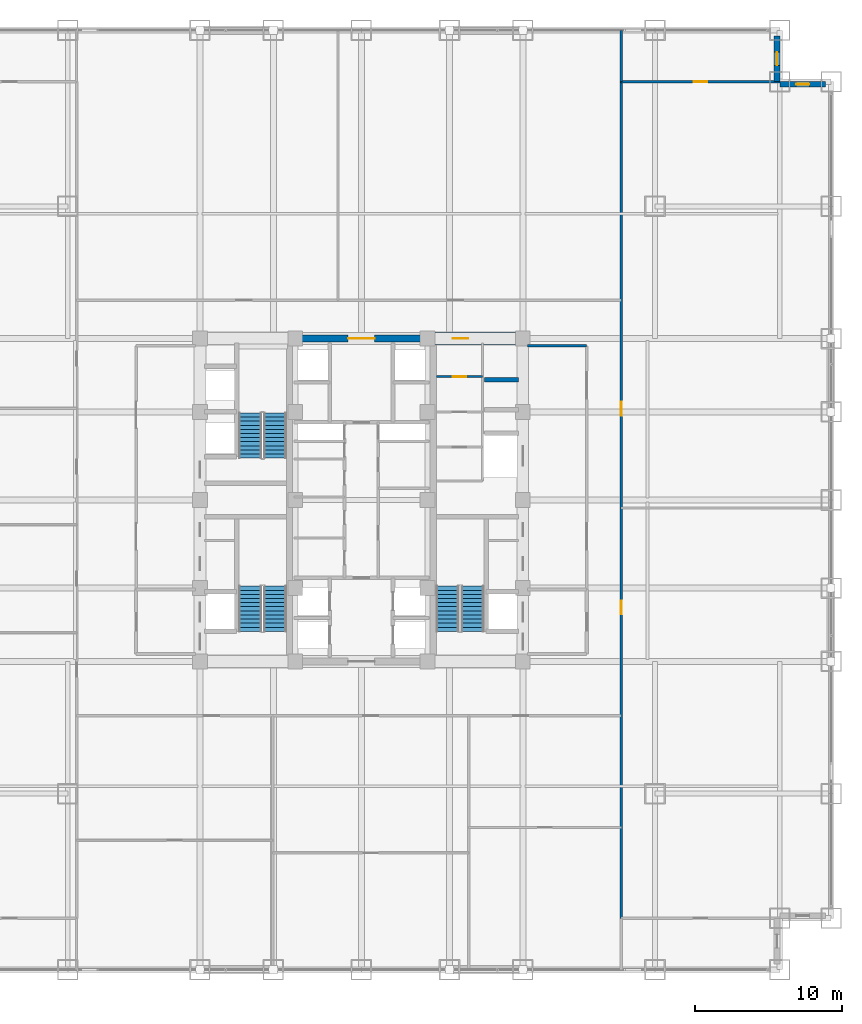
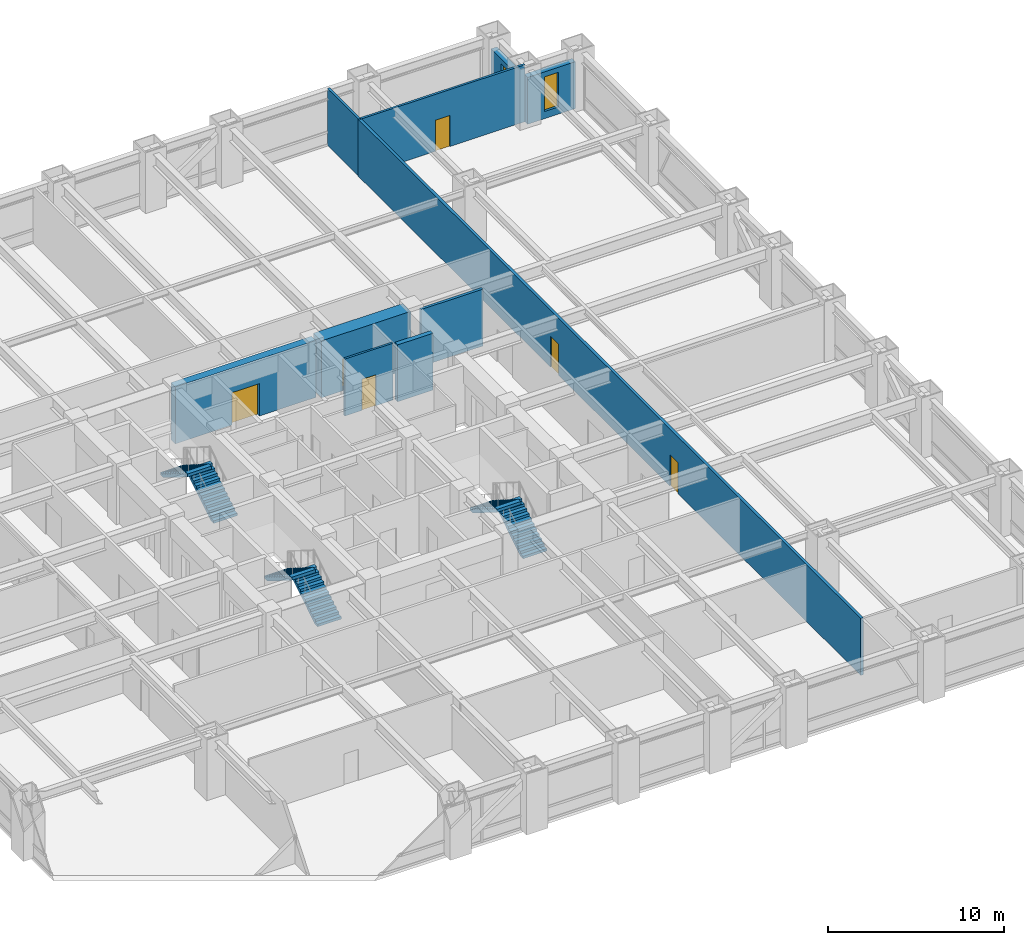
# One storey, part 27 of 28: 10 walls, 6 doors, 6 stair flights, 2 windows, 8 openings, 3 elements without a shape of their own.
"""IFC4 building model written with IfcOpenShell, lengths in metres."""

from ifc_helpers import new_model, si_unit, direction, frame, frame_2d, origin, place, context, subcontext, project, spatial, polyline, rectangle, outline, extrude, source, transform, mapped, material, layer, layer_set, type_object, element, fill, aggregate, save


model = new_model("IFC4")

# Units and contexts
model_context = context("Model", 3, precision=1e-05, world=origin(), true_north=direction((0.0, 1.0)))
body_context = subcontext(model_context, "Body", "Model", "MODEL_VIEW")
ifc_project = project(units=[si_unit("LENGTHUNIT", "METRE"), si_unit("AREAUNIT", "SQUARE_METRE"), si_unit("VOLUMEUNIT", "CUBIC_METRE"), si_unit("PLANEANGLEUNIT", "RADIAN"), si_unit("MASSUNIT", "GRAM", prefix="KILO")], contexts=[model_context])

# Site, building, storey
site_placement = place(None, origin())
site = spatial("IfcSite", under=ifc_project, at=site_placement, CompositionType="ELEMENT")
building_placement = place(site_placement, origin())
building = spatial("IfcBuilding", under=site, at=building_placement, Name="Khorayat Bourse Tower", CompositionType="ELEMENT")
storey_placement = place(building_placement, frame((0.0, 0.0, 66.199951171875)))
storey = spatial("IfcBuildingStorey", under=building, at=storey_placement, Name="L14", CompositionType="ELEMENT", Elevation=66.199951171875)

# Wall, opening, door
ifc_material_1 = material(Name="Concrete C72/90", Category="concrete")
ifc_layer_1 = layer(ifc_material_1, 0.89990234375)
ifc_layer_set_1 = layer_set([ifc_layer_1], Name="Concrete C72/90")
wall_type_1 = type_object("IfcWallType", Name="WAL-CORE-900", PredefinedType="SHEAR", material=ifc_layer_set_1)
shared_shape_1 = source(origin(), body_context, "Body", "SweptSolid", [
    extrude(rectangle(XDim=5.849853515625, YDim=0.89990234375, at=frame_2d((2.9248046875, 0.0))), origin(), (0.0, 0.0, 1.0), 3.93994140625),
])
wall_1_placement = place(storey_placement, frame((4.85009765625, 11.0, 0.0), z_axis=(0.0, 0.0, 1.0), x_axis=(1.0, 0.0, 0.0)))
wall_1 = element("IfcWall", 1, at=wall_1_placement, inside=storey, type_object=wall_type_1, Name="L14 Core Shear Wall PIER-EN", PredefinedType="SHEAR", context=body_context, shape_type="MappedRepresentation", body=[
    mapped(shared_shape_1, transform((0.0, 0.0, 0.0), scale=1.0)),
])
shared_shape_2 = source(origin(), body_context, "Body", "SweptSolid", [
    extrude(rectangle(XDim=1.050048828125, YDim=2.199951171875, at=frame_2d((0.52490234375, 1.10009765625))), frame((0.0, 0.4599609375, 0.0), z_axis=(0.0, -1.0, 0.0), x_axis=(1.0, 0.0, 0.0)), (0.0, 0.0, 1.0), 0.919921875),
])
opening_1_placement = place(wall_1_placement, frame((1.375, 0.0, 0.0)))
opening_1 = element("IfcOpeningElement", 2, at=opening_1_placement, cuts=wall_1, Name="Opening DI-04", PredefinedType="OPENING", context=body_context, shape_type="MappedRepresentation", body=[
    mapped(shared_shape_2, transform((0.0, 0.0, 0.0), scale=1.0)),
])
ifc_material_2 = material(Name="Fire-rated oak veneer suite entrance door")
door_type_1 = type_object("IfcDoorType", Name="DR-INT-SUITE-1050", OperationType="NOTDEFINED", PredefinedType="DOOR", material=ifc_material_2)
shared_shape_3 = source(origin(), body_context, "Body", "SweptSolid", [
    extrude(rectangle(XDim=1.050048828125, YDim=2.199951171875, at=frame_2d((0.52490234375, 1.10009765625))), frame((0.0, 0.02490234375, 0.0), z_axis=(0.0, -1.0, 0.0), x_axis=(1.0, 0.0, 0.0)), (0.0, 0.0, 1.0), 0.050048828125),
])
door_1_placement = place(opening_1_placement, origin())
door_1 = element("IfcDoor", 3, at=door_1_placement, inside=storey, type_object=door_type_1, Name="L14 Core Washroom Lobby Door", OperationType="SINGLE_SWING_LEFT", OverallHeight=2.199951171875, OverallWidth=1.050048828125, PredefinedType="DOOR", context=body_context, shape_type="MappedRepresentation", body=[
    mapped(shared_shape_3, transform((0.0, 0.0, 0.0), scale=1.0)),
])
fill(opening_1, door_1)

ifc_material_3 = material(Name="Concrete C52/65", Category="concrete")
ifc_layer_2 = layer(ifc_material_3, 0.5)
ifc_layer_set_2 = layer_set([ifc_layer_2], Name="Concrete C52/65")
wall_type_2 = type_object("IfcWallType", Name="WAL-CORE-500", PredefinedType="SHEAR", material=ifc_layer_set_2)
shared_shape_4 = source(origin(), body_context, "Body", "SweptSolid", [
    extrude(rectangle(XDim=9.2001953125, YDim=0.5, at=frame_2d((4.60009765625, 0.0))), origin(), (0.0, 0.0, 1.0), 3.93994140625),
])
wall_2_placement = place(storey_placement, frame((-4.60009765625, 11.0, 0.0), z_axis=(0.0, 0.0, 1.0), x_axis=(1.0, 0.0, 0.0)))
wall_2 = element("IfcWall", 4, at=wall_2_placement, inside=storey, type_object=wall_type_2, Name="L14 Core Shear Wall CORE-N", PredefinedType="SHEAR", context=body_context, shape_type="MappedRepresentation", body=[
    mapped(shared_shape_4, transform((0.0, 0.0, 0.0), scale=1.0)),
])
shared_shape_5 = source(origin(), body_context, "Body", "SweptSolid", [
    extrude(rectangle(XDim=1.800048828125, YDim=2.25, at=frame_2d((0.89990234375, 1.125))), frame((0.0, 0.260009765625, 0.0), z_axis=(0.0, -1.0, 0.0), x_axis=(1.0, 0.0, 0.0)), (0.0, 0.0, 1.0), 0.52001953125),
])
opening_2_placement = place(wall_2_placement, frame((3.699951171875, 0.0, 0.0)))
opening_2 = element("IfcOpeningElement", 5, at=opening_2_placement, cuts=wall_2, Name="Opening DI-03", PredefinedType="OPENING", context=body_context, shape_type="MappedRepresentation", body=[
    mapped(shared_shape_5, transform((0.0, 0.0, 0.0), scale=1.0)),
])
ifc_material_4 = material(Name="Fire-rated hardwood vision-panel double leaf", Category="wood")
door_type_2 = type_object("IfcDoorType", Name="DR-INT-CORR-1800", OperationType="NOTDEFINED", PredefinedType="DOOR", material=ifc_material_4)
shared_shape_6 = source(origin(), body_context, "Body", "SweptSolid", [
    extrude(rectangle(XDim=1.800048828125, YDim=2.25, at=frame_2d((0.89990234375, 1.125))), frame((0.0, 0.02490234375, 0.0), z_axis=(0.0, -1.0, 0.0), x_axis=(1.0, 0.0, 0.0)), (0.0, 0.0, 1.0), 0.050048828125),
])
door_2_placement = place(opening_2_placement, origin())
door_2 = element("IfcDoor", 6, at=door_2_placement, inside=storey, type_object=door_type_2, Name="L14 Mid-Rise Lift Lobby Door", OperationType="SINGLE_SWING_RIGHT", OverallHeight=2.25, OverallWidth=1.800048828125, PredefinedType="DOOR", context=body_context, shape_type="MappedRepresentation", body=[
    mapped(shared_shape_6, transform((0.0, 0.0, 0.0), scale=1.0)),
])
fill(opening_2, door_2)

# Wall, opening, window
ifc_material_5 = material(Name="Precast concrete C45/55", Category="concrete")
ifc_layer_3 = layer(ifc_material_5, 0.3798828125)
ifc_layer_set_3 = layer_set([ifc_layer_3], Name="Precast concrete C45/55")
wall_type_3 = type_object("IfcWallType", Name="WAL-EXT-STONE-380", PredefinedType="STANDARD", material=ifc_layer_set_3)
shared_shape_7 = source(origin(), body_context, "Body", "SweptSolid", [
    extrude(rectangle(XDim=3.1201171875, YDim=0.3798828125, at=frame_2d((1.56005859375, 0.0))), origin(), (0.0, 0.0, 1.0), 3.2451171875),
])
wall_3_placement = place(storey_placement, frame((28.5, 28.31005859375, 0.0), z_axis=(0.0, 0.0, 1.0), x_axis=(1.0, 0.0, 0.0)))
wall_3 = element("IfcWall", 7, at=wall_3_placement, inside=storey, type_object=wall_type_3, Name="L14 Re-Entrant Notch Limestone Wall NE-H", PredefinedType="STANDARD", context=body_context, shape_type="MappedRepresentation", body=[
    mapped(shared_shape_7, transform((0.0, 0.0, 0.0), scale=1.0)),
])
shared_shape_8 = source(origin(), body_context, "Body", "SweptSolid", [
    extrude(rectangle(XDim=0.89990234375, YDim=2.39990234375, at=frame_2d((0.449951171875, 1.199951171875))), frame((0.0, 0.199951171875, 0.0), z_axis=(0.0, -1.0, 0.0), x_axis=(1.0, 0.0, 0.0)), (0.0, 0.0, 1.0), 0.39990234375),
])
opening_3_placement = place(wall_3_placement, frame((1.110107421875, 0.0, 0.5)))
opening_3 = element("IfcOpeningElement", 8, at=opening_3_placement, cuts=wall_3, Name="Opening WN-03", PredefinedType="OPENING", context=body_context, shape_type="MappedRepresentation", body=[
    mapped(shared_shape_8, transform((0.0, 0.0, 0.0), scale=1.0)),
])
ifc_material_6 = material(Name="Deep-reveal solar-control double glazing", Category="glass")
window_type = type_object("IfcWindowType", Name="WIN-SLOT-900x2400", PartitioningType="SINGLE_PANEL", PredefinedType="WINDOW", material=ifc_material_6)
shared_shape_9 = source(origin(), body_context, "Body", "SweptSolid", [
    extrude(rectangle(XDim=0.89990234375, YDim=2.39990234375, at=frame_2d((0.449951171875, 1.199951171875))), frame((0.0, 0.030029296875, 0.0), z_axis=(0.0, -1.0, 0.0), x_axis=(1.0, 0.0, 0.0)), (0.0, 0.0, 1.0), 0.06005859375),
])
window_1_placement = place(opening_3_placement, origin())
window_1 = element("IfcWindow", 9, at=window_1_placement, inside=storey, type_object=window_type, Name="L14 Facade Window 1", OverallHeight=2.39990234375, OverallWidth=0.89990234375, PartitioningType="SINGLE_PANEL", PredefinedType="WINDOW", context=body_context, shape_type="MappedRepresentation", body=[
    mapped(shared_shape_9, transform((0.0, 0.0, 0.0), scale=1.0)),
])
fill(opening_3, window_1)

wall_4_placement = place(storey_placement, frame((28.31005859375, 28.5, 0.0), z_axis=(0.0, 0.0, 1.0), x_axis=(0.0, 1.0, 0.0)))
wall_4 = element("IfcWall", 10, at=wall_4_placement, inside=storey, type_object=wall_type_3, Name="L14 Re-Entrant Notch Limestone Wall NE-V", PredefinedType="STANDARD", context=body_context, shape_type="MappedRepresentation", body=[
    mapped(shared_shape_7, transform((0.0, 0.0, 0.0), scale=1.0)),
])
opening_4_placement = place(wall_4_placement, frame((1.110107421875, 0.0, 0.5)))
opening_4 = element("IfcOpeningElement", 11, at=opening_4_placement, cuts=wall_4, Name="Opening WN-03", PredefinedType="OPENING", context=body_context, shape_type="MappedRepresentation", body=[
    mapped(shared_shape_8, transform((0.0, 0.0, 0.0), scale=1.0)),
])
window_2_placement = place(opening_4_placement, origin())
window_2 = element("IfcWindow", 12, at=window_2_placement, inside=storey, type_object=window_type, Name="L14 Facade Window 1", OverallHeight=2.39990234375, OverallWidth=0.89990234375, PartitioningType="SINGLE_PANEL", PredefinedType="WINDOW", context=body_context, shape_type="MappedRepresentation", body=[
    mapped(shared_shape_9, transform((0.0, 0.0, 0.0), scale=1.0)),
])
fill(opening_4, window_2)

# Wall
ifc_material_7 = material(Name="Concrete C50/60", Category="concrete")
ifc_layer_4 = layer(ifc_material_7, 0.300048828125)
ifc_layer_set_4 = layer_set([ifc_layer_4], Name="Concrete C50/60")
wall_type_4 = type_object("IfcWallType", Name="WAL-SHAFT-300", PredefinedType="SHEAR", material=ifc_layer_set_4)
shared_shape_10 = source(origin(), body_context, "Body", "SweptSolid", [
    extrude(rectangle(XDim=2.300048828125, YDim=0.300048828125, at=frame_2d((1.14990234375, 0.0))), origin(), (0.0, 0.0, 1.0), 3.93994140625),
])
wall_5_placement = place(storey_placement, frame((8.39990234375, 8.199951171875, 0.0), z_axis=(0.0, 0.0, 1.0), x_axis=(1.0, 0.0, 0.0)))
element("IfcWall", 13, at=wall_5_placement, inside=storey, type_object=wall_type_4, Name="L14 Partition WAL-L14-EPIER-H34", PredefinedType="SHEAR", context=body_context, shape_type="MappedRepresentation", body=[
    mapped(shared_shape_10, transform((0.0, 0.0, 0.0), scale=1.0)),
])

# Wall, opening, door
ifc_material_8 = material(Name="Moisture-resistant masonry partition", Category="masonry")
ifc_layer_5 = layer(ifc_material_8, 0.139892578125)
ifc_layer_set_5 = layer_set([ifc_layer_5], Name="Moisture-resistant masonry partition")
wall_type_5 = type_object("IfcWallType", Name="WAL-PART-WET-140", PredefinedType="PARTITIONING", material=ifc_layer_set_5)
shared_shape_11 = source(origin(), body_context, "Body", "SweptSolid", [
    extrude(rectangle(XDim=3.14990234375, YDim=0.139892578125, at=frame_2d((1.574951171875, 0.0))), origin(), (0.0, 0.0, 1.0), 3.93994140625),
])
wall_6_placement = place(storey_placement, frame((5.10009765625, 8.39990234375, 0.0), z_axis=(0.0, 0.0, 1.0), x_axis=(1.0, 0.0, 0.0)))
wall_6 = element("IfcWall", 14, at=wall_6_placement, inside=storey, type_object=wall_type_5, Name="L14 Partition WAL-L14-ECW-TOP", PredefinedType="PARTITIONING", context=body_context, shape_type="MappedRepresentation", body=[
    mapped(shared_shape_11, transform((0.0, 0.0, 0.0), scale=1.0)),
])
shared_shape_12 = source(origin(), body_context, "Body", "SweptSolid", [
    extrude(rectangle(XDim=0.89990234375, YDim=2.14990234375, at=frame_2d((0.449951171875, 1.074951171875))), frame((0.0, 0.079833984375, 0.0), z_axis=(0.0, -1.0, 0.0), x_axis=(1.0, 0.0, 0.0)), (0.0, 0.0, 1.0), 0.159912109375),
])
opening_5_placement = place(wall_6_placement, frame((1.1298828125, 0.0, 0.0)))
opening_5 = element("IfcOpeningElement", 15, at=opening_5_placement, cuts=wall_6, Name="Opening DI-06", PredefinedType="OPENING", context=body_context, shape_type="MappedRepresentation", body=[
    mapped(shared_shape_12, transform((0.0, 0.0, 0.0), scale=1.0)),
])
ifc_material_9 = material(Name="Moisture-resistant laminate washroom door")
door_type_3 = type_object("IfcDoorType", Name="DR-INT-WC-900", OperationType="NOTDEFINED", PredefinedType="DOOR", material=ifc_material_9)
shared_shape_13 = source(origin(), body_context, "Body", "SweptSolid", [
    extrude(rectangle(XDim=0.89990234375, YDim=2.14990234375, at=frame_2d((0.449951171875, 1.074951171875))), frame((0.0, 0.02490234375, 0.0), z_axis=(0.0, -1.0, 0.0), x_axis=(1.0, 0.0, 0.0)), (0.0, 0.0, 1.0), 0.050048828125),
])
door_3_placement = place(opening_5_placement, origin())
door_3 = element("IfcDoor", 16, at=door_3_placement, inside=storey, type_object=door_type_3, Name="L14 Accessible WC Door", OperationType="SINGLE_SWING_LEFT", OverallHeight=2.14990234375, OverallWidth=0.89990234375, PredefinedType="DOOR", context=body_context, shape_type="MappedRepresentation", body=[
    mapped(shared_shape_13, transform((0.0, 0.0, 0.0), scale=1.0)),
])
fill(opening_5, door_3)

# Walls
ifc_material_10 = material(Name="Gypsum plasterboard acoustic stud wall")
ifc_layer_6 = layer(ifc_material_10, 0.179931640625)
ifc_layer_set_6 = layer_set([ifc_layer_6], Name="Gypsum plasterboard acoustic stud wall")
wall_type_6 = type_object("IfcWallType", Name="WAL-PART-CORR-180", PredefinedType="PARTITIONING", material=ifc_layer_set_6)
shared_shape_14 = source(origin(), body_context, "Body", "SweptSolid", [
    extrude(rectangle(XDim=4.050048828125, YDim=0.179931640625, at=frame_2d((2.02490234375, 0.0))), origin(), (0.0, 0.0, 1.0), 3.93994140625),
])
wall_7_placement = place(storey_placement, frame((11.300048828125, 10.5, 0.0), z_axis=(0.0, 0.0, 1.0), x_axis=(1.0, 0.0, 0.0)))
element("IfcWall", 17, at=wall_7_placement, inside=storey, type_object=wall_type_6, Name="L14 Partition WAL-L14-ELOB-N", PredefinedType="PARTITIONING", context=body_context, shape_type="MappedRepresentation", body=[
    mapped(shared_shape_14, transform((0.0, 0.0, 0.0), scale=1.0)),
])
ifc_material_11 = material(Name="Gypsum plasterboard twin-frame partition")
ifc_layer_7 = layer(ifc_material_11, 0.14990234375)
ifc_layer_set_7 = layer_set([ifc_layer_7], Name="Gypsum plasterboard twin-frame partition")
wall_type_7 = type_object("IfcWallType", Name="WAL-PART-SUITE-150", PredefinedType="PARTITIONING", material=ifc_layer_set_7)
shared_shape_15 = source(origin(), body_context, "Body", "SweptSolid", [
    extrude(rectangle(XDim=3.5, YDim=0.14990234375, at=frame_2d((1.75, 0.0))), origin(), (0.0, 0.0, 1.0), 3.93994140625),
])
wall_8_placement = place(storey_placement, frame((17.699951171875, 28.5, 0.0), z_axis=(0.0, 0.0, 1.0), x_axis=(0.0, 1.0, 0.0)))
element("IfcWall", 18, at=wall_8_placement, inside=storey, type_object=wall_type_7, Name="L14 Partition WAL-L14-NCE-END", PredefinedType="PARTITIONING", context=body_context, shape_type="MappedRepresentation", body=[
    mapped(shared_shape_15, transform((0.0, 0.0, 0.0), scale=1.0)),
])

# Wall, openings, doors
shared_shape_16 = source(origin(), body_context, "Body", "SweptSolid", [
    extrude(rectangle(XDim=57.0, YDim=0.179931640625, at=frame_2d((28.5, 0.0))), origin(), (0.0, 0.0, 1.0), 3.93994140625),
])
wall_9_placement = place(storey_placement, frame((17.699951171875, -28.5, 0.0), z_axis=(0.0, 0.0, 1.0), x_axis=(0.0, 1.0, 0.0)))
wall_9 = element("IfcWall", 19, at=wall_9_placement, inside=storey, type_object=wall_type_6, Name="L14 Partition WAL-L14-ECORR", PredefinedType="PARTITIONING", context=body_context, shape_type="MappedRepresentation", body=[
    mapped(shared_shape_16, transform((0.0, 0.0, 0.0), scale=1.0)),
])
shared_shape_17 = source(origin(), body_context, "Body", "SweptSolid", [
    extrude(rectangle(XDim=0.949951171875, YDim=2.14990234375, at=frame_2d((0.47509765625, 1.074951171875))), frame((0.0, 0.099853515625, 0.0), z_axis=(0.0, -1.0, 0.0), x_axis=(1.0, 0.0, 0.0)), (0.0, 0.0, 1.0), 0.199951171875),
])
opening_6_placement = place(wall_9_placement, frame((20.699951171875, 0.0, 0.0)))
opening_6 = element("IfcOpeningElement", 20, at=opening_6_placement, cuts=wall_9, Name="Opening DI-05", PredefinedType="OPENING", context=body_context, shape_type="MappedRepresentation", body=[
    mapped(shared_shape_17, transform((0.0, 0.0, 0.0), scale=1.0)),
])
opening_7_placement = place(wall_9_placement, frame((34.25, 0.0, 0.0)))
opening_7 = element("IfcOpeningElement", 21, at=opening_7_placement, cuts=wall_9, Name="Opening DI-05", PredefinedType="OPENING", context=body_context, shape_type="MappedRepresentation", body=[
    mapped(shared_shape_17, transform((0.0, 0.0, 0.0), scale=1.0)),
])
ifc_material_12 = material(Name="Acoustic oak veneer office door")
door_type_4 = type_object("IfcDoorType", Name="DR-INT-OFFICE-950", OperationType="NOTDEFINED", PredefinedType="DOOR", material=ifc_material_12)
shared_shape_18 = source(origin(), body_context, "Body", "SweptSolid", [
    extrude(rectangle(XDim=0.949951171875, YDim=2.14990234375, at=frame_2d((0.47509765625, 1.074951171875))), frame((0.0, 0.02490234375, 0.0), z_axis=(0.0, -1.0, 0.0), x_axis=(1.0, 0.0, 0.0)), (0.0, 0.0, 1.0), 0.050048828125),
])
door_4_placement = place(opening_6_placement, origin())
door_4 = element("IfcDoor", 22, at=door_4_placement, inside=storey, type_object=door_type_4, Name="L14 Members Dining Room E1 Door", OperationType="SINGLE_SWING_RIGHT", OverallHeight=2.14990234375, OverallWidth=0.949951171875, PredefinedType="DOOR", context=body_context, shape_type="MappedRepresentation", body=[
    mapped(shared_shape_18, transform((0.0, 0.0, 0.0), scale=1.0)),
])
fill(opening_6, door_4)
door_5_placement = place(opening_7_placement, origin())
door_5 = element("IfcDoor", 23, at=door_5_placement, inside=storey, type_object=door_type_4, Name="L14 Quantitative Research Study E2 Door", OperationType="SINGLE_SWING_LEFT", OverallHeight=2.14990234375, OverallWidth=0.949951171875, PredefinedType="DOOR", context=body_context, shape_type="MappedRepresentation", body=[
    mapped(shared_shape_18, transform((0.0, 0.0, 0.0), scale=1.0)),
])
fill(opening_7, door_5)

# Wall, opening, door
shared_shape_19 = source(origin(), body_context, "Body", "SweptSolid", [
    extrude(rectangle(XDim=10.800048828125, YDim=0.14990234375, at=frame_2d((5.39990234375, 0.0))), origin(), (0.0, 0.0, 1.0), 3.93994140625),
])
wall_10_placement = place(storey_placement, frame((17.699951171875, 28.5, 0.0), z_axis=(0.0, 0.0, 1.0), x_axis=(1.0, 0.0, 0.0)))
wall_10 = element("IfcWall", 24, at=wall_10_placement, inside=storey, type_object=wall_type_7, Name="L14 Partition WAL-L14-CNE", PredefinedType="PARTITIONING", context=body_context, shape_type="MappedRepresentation", body=[
    mapped(shared_shape_19, transform((0.0, 0.0, 0.0), scale=1.0)),
])
shared_shape_20 = source(origin(), body_context, "Body", "SweptSolid", [
    extrude(rectangle(XDim=0.949951171875, YDim=2.14990234375, at=frame_2d((0.47509765625, 1.074951171875))), frame((0.0, 0.0849609375, 0.0), z_axis=(0.0, -1.0, 0.0), x_axis=(1.0, 0.0, 0.0)), (0.0, 0.0, 1.0), 0.169921875),
])
opening_8_placement = place(wall_10_placement, frame((4.925048828125, 0.0, 0.0)))
opening_8 = element("IfcOpeningElement", 25, at=opening_8_placement, cuts=wall_10, Name="Opening DI-05", PredefinedType="OPENING", context=body_context, shape_type="MappedRepresentation", body=[
    mapped(shared_shape_20, transform((0.0, 0.0, 0.0), scale=1.0)),
])
door_6_placement = place(opening_8_placement, origin())
door_6 = element("IfcDoor", 26, at=door_6_placement, inside=storey, type_object=door_type_4, Name="L14 North-East Corner Lounge Door", OperationType="SINGLE_SWING_LEFT", OverallHeight=2.14990234375, OverallWidth=0.949951171875, PredefinedType="DOOR", context=body_context, shape_type="MappedRepresentation", body=[
    mapped(shared_shape_18, transform((0.0, 0.0, 0.0), scale=1.0)),
])
fill(opening_8, door_6)

# Stair, stair flights
ifc_material_13 = material(Name="Concrete C40/50", Category="concrete")
stair_type = type_object("IfcStairType", Name="STR-CORE-1550", PredefinedType="HALF_TURN_STAIR", material=ifc_material_13)
stair_1_placement = place(storey_placement, origin())
stair_1 = element("IfcStair", 27, at=stair_1_placement, inside=storey, type_object=stair_type, Name="L14 Exit Stair ST-1", PredefinedType="HALF_TURN_STAIR")
stair_flight_type = type_object("IfcStairFlightType", Name="FLT-CORE-1550", PredefinedType="STRAIGHT", material=ifc_material_13)
shared_shape_21 = source(origin(), body_context, "Body", "SweptSolid", [
    extrude(outline(polyline([(0.0, 0.0), (0.0, 0.175048828125), (0.280029296875, 0.175048828125), (0.280029296875, 0.35009765625), (0.56005859375, 0.35009765625), (0.56005859375, 0.52490234375), (0.840087890625, 0.52490234375), (0.840087890625, 0.699951171875), (1.1201171875, 0.699951171875), (1.1201171875, 0.875), (1.39990234375, 0.875), (1.39990234375, 1.050048828125), (1.679931640625, 1.050048828125), (1.679931640625, 1.22509765625), (1.9599609375, 1.22509765625), (1.9599609375, 1.39990234375), (2.239990234375, 1.39990234375), (2.239990234375, 1.574951171875), (2.52001953125, 1.574951171875), (2.52001953125, 1.75), (2.800048828125, 1.75), (2.800048828125, 1.925048828125), (3.080078125, 1.925048828125), (3.080078125, 2.10009765625), (3.080078125, 1.712890625), (0.339599609375, 0.0), (0.0, 0.0)])), frame((0.0, 0.77490234375, 0.0), z_axis=(0.0, -1.0, 0.0), x_axis=(1.0, 0.0, 0.0)), (0.0, 0.0, 1.0), 1.550048828125),
])
stair_flight_1_placement = place(storey_placement, frame((-5.875, -8.949951171875, 0.0), z_axis=(0.0, 0.0, 1.0), x_axis=(0.0, 1.0, 0.0)))
stair_flight_1 = element("IfcStairFlight", 28, at=stair_flight_1_placement, type_object=stair_flight_type, Name="ST-1 flight 1", NumberOfRisers=12, NumberOfTreads=11, PredefinedType="STRAIGHT", RiserHeight=0.175, TreadLength=0.28, context=body_context, shape_type="MappedRepresentation", body=[
    mapped(shared_shape_21, transform((0.0, 0.0, 0.0), scale=1.0)),
])
stair_flight_2_placement = place(storey_placement, frame((-7.574951171875, -5.8701171875, 2.10009765625), z_axis=(0.0, 0.0, 1.0), x_axis=(0.0, -1.0, 0.0)))
stair_flight_2 = element("IfcStairFlight", 29, at=stair_flight_2_placement, type_object=stair_flight_type, Name="ST-1 flight 2", NumberOfRisers=12, NumberOfTreads=11, PredefinedType="STRAIGHT", RiserHeight=0.175, TreadLength=0.28, context=body_context, shape_type="MappedRepresentation", body=[
    mapped(shared_shape_21, transform((0.0, 0.0, 0.0), scale=1.0)),
])
aggregate(stair_1, [stair_flight_1, stair_flight_2])

stair_2_placement = place(storey_placement, origin())
stair_2 = element("IfcStair", 30, at=stair_2_placement, inside=storey, type_object=stair_type, Name="L14 Exit Stair ST-2", PredefinedType="HALF_TURN_STAIR")
stair_flight_3_placement = place(storey_placement, frame((-5.875, 2.85009765625, 0.0), z_axis=(0.0, 0.0, 1.0), x_axis=(0.0, 1.0, 0.0)))
stair_flight_3 = element("IfcStairFlight", 31, at=stair_flight_3_placement, type_object=stair_flight_type, Name="ST-2 flight 1", NumberOfRisers=12, NumberOfTreads=11, PredefinedType="STRAIGHT", RiserHeight=0.175, TreadLength=0.28, context=body_context, shape_type="MappedRepresentation", body=[
    mapped(shared_shape_21, transform((0.0, 0.0, 0.0), scale=1.0)),
])
stair_flight_4_placement = place(storey_placement, frame((-7.574951171875, 5.929931640625, 2.10009765625), z_axis=(0.0, 0.0, 1.0), x_axis=(0.0, -1.0, 0.0)))
stair_flight_4 = element("IfcStairFlight", 32, at=stair_flight_4_placement, type_object=stair_flight_type, Name="ST-2 flight 2", NumberOfRisers=12, NumberOfTreads=11, PredefinedType="STRAIGHT", RiserHeight=0.175, TreadLength=0.28, context=body_context, shape_type="MappedRepresentation", body=[
    mapped(shared_shape_21, transform((0.0, 0.0, 0.0), scale=1.0)),
])
aggregate(stair_2, [stair_flight_3, stair_flight_4])

stair_3_placement = place(storey_placement, origin())
stair_3 = element("IfcStair", 33, at=stair_3_placement, inside=storey, type_object=stair_type, Name="L14 Exit Stair ST-3", PredefinedType="HALF_TURN_STAIR")
stair_flight_5_placement = place(storey_placement, frame((7.574951171875, -8.949951171875, 0.0), z_axis=(0.0, 0.0, 1.0), x_axis=(0.0, 1.0, 0.0)))
stair_flight_5 = element("IfcStairFlight", 34, at=stair_flight_5_placement, type_object=stair_flight_type, Name="ST-3 flight 1", NumberOfRisers=12, NumberOfTreads=11, PredefinedType="STRAIGHT", RiserHeight=0.175, TreadLength=0.28, context=body_context, shape_type="MappedRepresentation", body=[
    mapped(shared_shape_21, transform((0.0, 0.0, 0.0), scale=1.0)),
])
stair_flight_6_placement = place(storey_placement, frame((5.875, -5.8701171875, 2.10009765625), z_axis=(0.0, 0.0, 1.0), x_axis=(0.0, -1.0, 0.0)))
stair_flight_6 = element("IfcStairFlight", 35, at=stair_flight_6_placement, type_object=stair_flight_type, Name="ST-3 flight 2", NumberOfRisers=12, NumberOfTreads=11, PredefinedType="STRAIGHT", RiserHeight=0.175, TreadLength=0.28, context=body_context, shape_type="MappedRepresentation", body=[
    mapped(shared_shape_21, transform((0.0, 0.0, 0.0), scale=1.0)),
])
aggregate(stair_3, [stair_flight_5, stair_flight_6])

save(model, "model.ifc")
